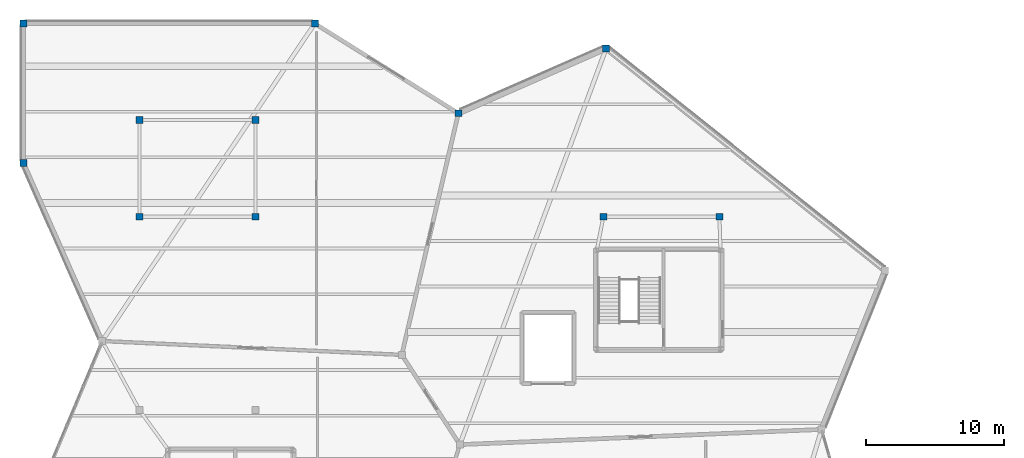
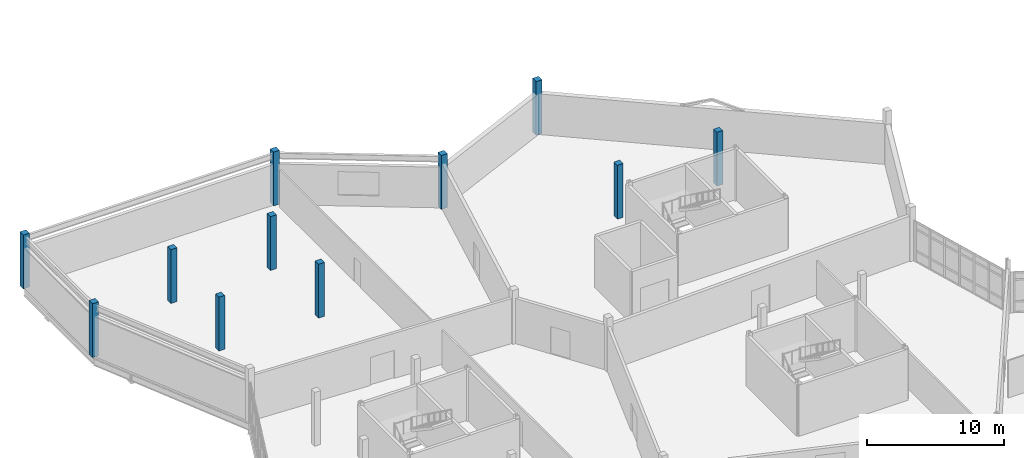
# One storey, part 15 of 134: 11 columns.
"""IFC4 building model written with IfcOpenShell, lengths in metres."""

from ifc_helpers import new_model, si_unit, direction, frame, origin, origin_2d, place, context, subcontext, project, spatial, rectangle, extrude, material, material_profile, profile_set, type_object, element, save


model = new_model("IFC4")

# Units and contexts
model_context = context("Model", 3, precision=1e-05, world=origin(), true_north=direction((0.0, 1.0)))
body_context = subcontext(model_context, "Body", "Model", "MODEL_VIEW")
ifc_project = project(units=[si_unit("LENGTHUNIT", "METRE"), si_unit("AREAUNIT", "SQUARE_METRE"), si_unit("VOLUMEUNIT", "CUBIC_METRE"), si_unit("PLANEANGLEUNIT", "RADIAN"), si_unit("MASSUNIT", "GRAM", prefix="KILO")], contexts=[model_context])

# Site, building, storey
site_placement = place(None, origin())
site = spatial("IfcSite", under=ifc_project, at=site_placement, CompositionType="ELEMENT")
building_placement = place(site_placement, origin())
building = spatial("IfcBuilding", under=site, at=building_placement, Name="Tameran Prism Museum", CompositionType="ELEMENT")
storey_placement = place(building_placement, frame((0.0, 0.0, 5.39990234375)))
storey = spatial("IfcBuildingStorey", under=building, at=storey_placement, Name="L01", CompositionType="ELEMENT", Elevation=5.39990234375)

# Columns
ifc_material = material(Name="Concrete N40 (40 MPa)", Category="concrete")
ifc_material_profile = material_profile(ifc_material, rectangle(XDim=0.5, YDim=0.5, at=origin_2d()))
ifc_profile_set = profile_set([ifc_material_profile])
column_type = type_object("IfcColumnType", Name="COL-RC500", PredefinedType="COLUMN", material=ifc_profile_set)
for number, where, z_axis, x_axis, name in (
    (1, (0.0, 101.89990234375, 0.0), (0.0, 0.0, 1.0), (1.0, 0.0, 0.0), "Column CV-07 L01"),
    (2, (0.0, 112.0, 0.0), (0.0, 0.0, 1.0), (1.0, 0.0, 0.0), "Column CV-08 L01"),
    (3, (21.10009765625, 112.0, 0.0), (0.0, 0.0, 1.0), (1.0, 0.0, 0.0), "Column CV-12 L01"),
    (4, (31.5, 105.5, 0.0), (0.0, 0.0, 1.0), (1.0, 0.0, 0.0), "Column CV-19 L01"),
    (5, (42.199951171875, 110.199951171875, 0.0), (0.0, 0.0, 1.0), (1.0, 0.0, 0.0), "Column CV-22 L01"),
    (6, (42.0, 98.0, 0.0), (0.0, 0.0, 1.0), (1.0, 0.0, 0.0), "Column CI-03 L01"),
    (7, (50.39990234375, 98.0, 0.0), (0.0, 0.0, 1.0), (1.0, 0.0, 0.0), "Column CI-04 L01"),
    (8, (8.39990234375, 98.0, 0.0), (0.0, 0.0, 1.0), (1.0, 0.0, 0.0), "Column CI-09 L01"),
    (9, (8.39990234375, 105.0, 0.0), (0.0, 0.0, 1.0), (1.0, 0.0, 0.0), "Column CI-10 L01"),
    (10, (16.800048828125, 98.0, 0.0), (0.0, 0.0, 1.0), (1.0, 0.0, 0.0), "Column CI-11 L01"),
    (11, (16.800048828125, 105.0, 0.0), (0.0, 0.0, 1.0), (1.0, 0.0, 0.0), "Column CI-12 L01"),
):
    element("IfcColumn", number, at=place(storey_placement, frame(where, z_axis=z_axis, x_axis=x_axis)), inside=storey, type_object=column_type, Name=name, PredefinedType="COLUMN", context=body_context, shape_type="SweptSolid", body=[
        extrude(rectangle(XDim=0.5, YDim=0.5, at=origin_2d()), origin(), (0.0, 0.0, 1.0), 4.800048828125),
    ])

save(model, "model.ifc")
